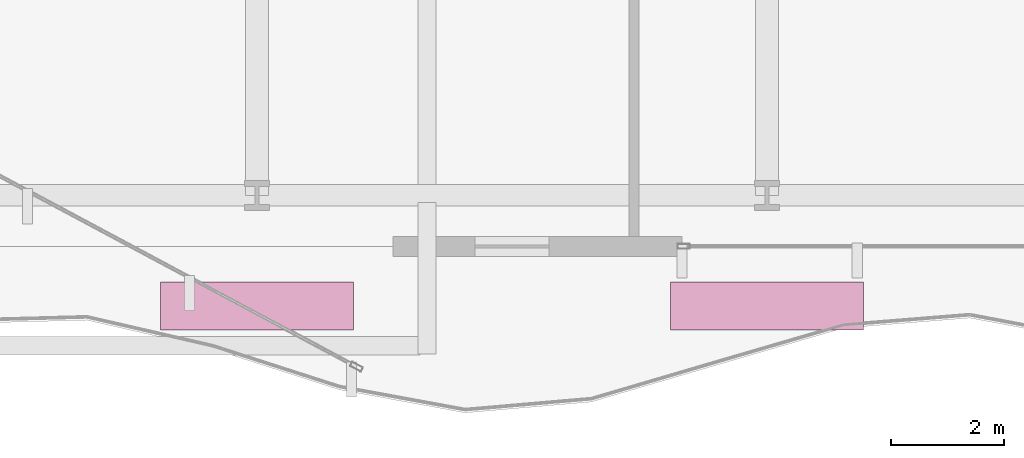
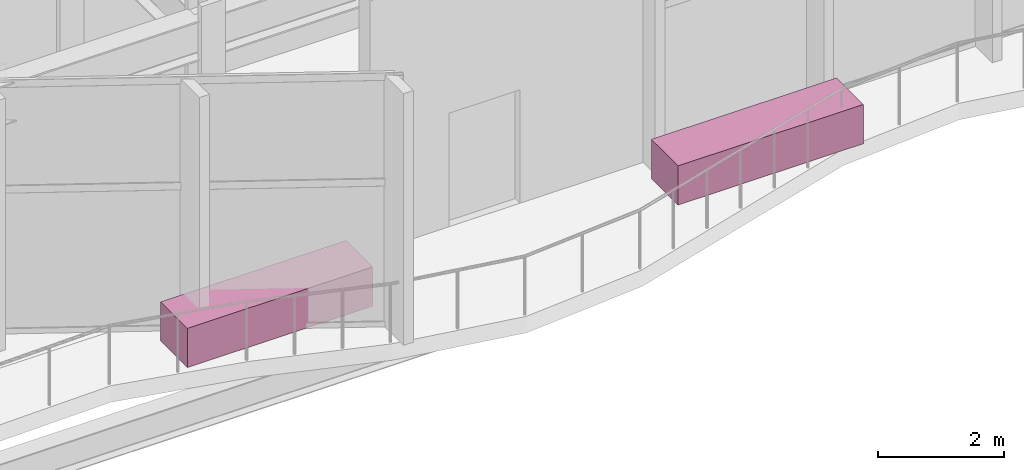
# One storey, part 31 of 31: 2 furnishings.
"""IFC4 building model written with IfcOpenShell, lengths in metres."""

from ifc_helpers import new_model, si_unit, direction, frame, origin, origin_2d, place, context, subcontext, project, spatial, rectangle, extrude, material, type_object, element, save


model = new_model("IFC4")

# Units and contexts
model_context = context("Model", 3, precision=1e-05, world=origin(), true_north=direction((0.0, 1.0)))
body_context = subcontext(model_context, "Body", "Model", "MODEL_VIEW")
ifc_project = project(units=[si_unit("LENGTHUNIT", "METRE"), si_unit("AREAUNIT", "SQUARE_METRE"), si_unit("VOLUMEUNIT", "CUBIC_METRE"), si_unit("PLANEANGLEUNIT", "RADIAN"), si_unit("MASSUNIT", "GRAM", prefix="KILO")], contexts=[model_context])

# Site, building, storey
site_placement = place(None, origin())
site = spatial("IfcSite", under=ifc_project, at=site_placement, CompositionType="ELEMENT")
building_placement = place(site_placement, origin())
building = spatial("IfcBuilding", under=site, at=building_placement, Name="Solvaryn Broadcast Tower", CompositionType="ELEMENT")
storey_placement = place(building_placement, frame((0.0, 0.0, 11.0)))
storey = spatial("IfcBuildingStorey", under=building, at=storey_placement, Name="L02", CompositionType="ELEMENT", Elevation=11.0)

# Furnishings
ifc_material = material(Name="Architectural Terracotta Planter Bed", Category="masonry")
furnishing_element_type = type_object("IfcFurnishingElementType", Name="PLB-01 Garden Planter Bed", material=ifc_material)
for number, where, z_axis, x_axis, name in (
    (1, (18.0, 2.550048828125, 0.0), (0.0, 0.0, 1.0), (1.0, 0.0, 0.0), "L02 Planted Terrace Planter PLANTER-TS-POD-L02-S-1"),
    (2, (27.0, 2.550048828125, 0.0), (0.0, 0.0, 1.0), (1.0, 0.0, 0.0), "L02 Planted Terrace Planter PLANTER-TS-POD-L02-S-2"),
):
    element("IfcFurnishingElement", number, at=place(storey_placement, frame(where, z_axis=z_axis, x_axis=x_axis)), inside=storey, type_object=furnishing_element_type, Name=name, ObjectType="PLANTER", context=body_context, shape_type="SweptSolid", body=[
        extrude(rectangle(XDim=3.39990234375, YDim=0.85009765625, at=origin_2d()), origin(), (0.0, 0.0, 1.0), 0.760009765625),
    ])

save(model, "model.ifc")
